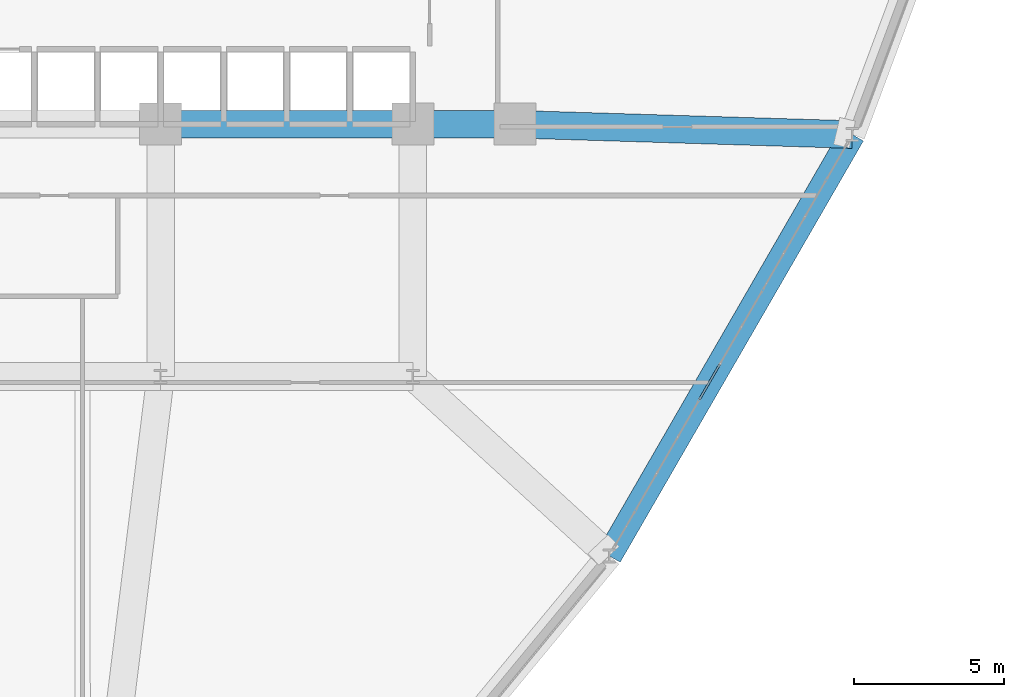
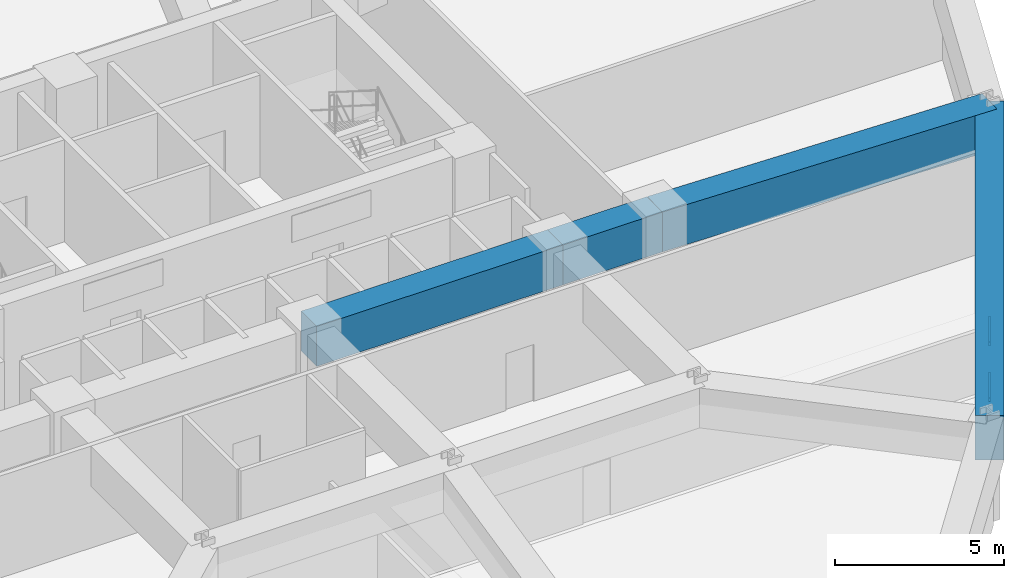
# One storey, part 8 of 20: 4 beams, 2 members, 1 element without a shape of its own.
"""IFC4 building model written with IfcOpenShell, lengths in metres."""

from ifc_helpers import new_model, si_unit, derived_unit, direction, frame, origin, origin_2d, place, context, subcontext, project, spatial, rectangle, hollow_rectangle, extrude, source, transform, mapped, material, layer, layer_set, material_profile, profile_set, type_object, element, aggregate, save


model = new_model("IFC4")

# Units and contexts
model_context = context("Model", 3, precision=1e-05, world=origin(), true_north=direction((0.0, 1.0)))
body_context = subcontext(model_context, "Body", "Model", "MODEL_VIEW")
ifc_project = project(units=[si_unit("LENGTHUNIT", "METRE"), si_unit("AREAUNIT", "SQUARE_METRE"), si_unit("VOLUMEUNIT", "CUBIC_METRE"), si_unit("PLANEANGLEUNIT", "RADIAN"), si_unit("MASSUNIT", "GRAM", prefix="KILO"), derived_unit("THERMALTRANSMITTANCEUNIT", [(si_unit("POWERUNIT", "WATT"), 1), (si_unit("LENGTHUNIT", "METRE"), -2), (si_unit("THERMODYNAMICTEMPERATUREUNIT", "KELVIN"), -1)])], contexts=[model_context])

# Site, building, storey
site_placement = place(None, origin())
site = spatial("IfcSite", under=ifc_project, at=site_placement, CompositionType="ELEMENT")
building_placement = place(site_placement, origin())
building = spatial("IfcBuilding", under=site, at=building_placement, Name="Korsvarv Bourse and Concert Hall", CompositionType="ELEMENT")
storey_placement = place(building_placement, frame((0.0, 0.0, 31.800048828125)))
storey = spatial("IfcBuildingStorey", under=building, at=storey_placement, Name="L07", CompositionType="ELEMENT", Elevation=31.800048828125)

# Beams
ifc_material_1 = material(Name="Concrete C50/60", Category="concrete")
ifc_material_profile_1 = material_profile(ifc_material_1, rectangle(XDim=0.919921875, YDim=1.43994140625, at=origin_2d()), Name="RC-BM 920x1440")
ifc_profile_set_1 = profile_set([ifc_material_profile_1], Name="Concrete C50/60")
beam_type_1 = type_object("IfcBeamType", Name="BM-TR-144", PredefinedType="BEAM", material=ifc_profile_set_1)
shared_shape_1 = source(origin(), body_context, "Body", "SweptSolid", [
    extrude(rectangle(XDim=0.919921875, YDim=1.43994140625, at=origin_2d()), origin(), (0.0, 0.0, 1.0), 3.400146484375),
])
beam_1_placement = place(storey_placement, frame((44.39990234375, 32.39990234375, 2.9599609375), z_axis=(1.0, 0.0, 0.0), x_axis=(0.0, 1.0, 0.0)))
element("IfcBeam", 1, at=beam_1_placement, inside=storey, type_object=beam_type_1, Name="L07 beam B-TR4", PredefinedType="BEAM", context=body_context, shape_type="MappedRepresentation", body=[
    mapped(shared_shape_1, transform((0.0, 0.0, 0.0), scale=1.0)),
])
shared_shape_2 = source(origin(), body_context, "Body", "SweptSolid", [
    extrude(rectangle(XDim=0.919921875, YDim=1.43994140625, at=origin_2d()), origin(), (0.0, 0.0, 1.0), 8.39990234375),
])
beam_2_placement = place(storey_placement, frame((36.0, 32.39990234375, 2.9599609375), z_axis=(1.0, 0.0, 0.0), x_axis=(0.0, 1.0, 0.0)))
element("IfcBeam", 2, at=beam_2_placement, inside=storey, type_object=beam_type_1, Name="L07 beam B-TR4", PredefinedType="BEAM", context=body_context, shape_type="MappedRepresentation", body=[
    mapped(shared_shape_2, transform((0.0, 0.0, 0.0), scale=1.0)),
])
ifc_material_2 = material(Name="Concrete C55/67", Category="concrete")
ifc_material_profile_2 = material_profile(ifc_material_2, rectangle(XDim=0.85009765625, YDim=1.60009765625, at=origin_2d()), Name="RC-BM 850x1600")
ifc_profile_set_2 = profile_set([ifc_material_profile_2], Name="Concrete C55/67")
beam_type_2 = type_object("IfcBeamType", Name="BM-TR1B", PredefinedType="BEAM", material=ifc_profile_set_2)
shared_shape_3 = source(origin(), body_context, "Body", "SweptSolid", [
    extrude(rectangle(XDim=0.85009765625, YDim=1.60009765625, at=origin_2d()), origin(), (0.0, 0.0, 1.0), 16.195068359375),
])
beam_3_placement = place(storey_placement, frame((50.93212890625, 18.02880859375, 2.8798828125), z_axis=(0.499993009725, 0.866029439584, 0.0), x_axis=(-0.866029439584, 0.499993009725, 0.0)))
element("IfcBeam", 3, at=beam_3_placement, inside=storey, type_object=beam_type_2, Name="L07 beam B-TR2", PredefinedType="BEAM", context=body_context, shape_type="MappedRepresentation", body=[
    mapped(shared_shape_3, transform((0.0, 0.0, 0.0), scale=1.0)),
])
shared_shape_4 = source(origin(), body_context, "Body", "SweptSolid", [
    extrude(rectangle(XDim=0.919921875, YDim=1.43994140625, at=origin_2d()), origin(), (0.0, 0.0, 1.0), 11.23486328125),
])
beam_4_placement = place(storey_placement, frame((59.029541015625, 32.05419921875, 2.9599609375), z_axis=(-0.999526469652, 0.03077070791, 0.0), x_axis=(-0.03077070791, -0.999526469652, 0.0)))
element("IfcBeam", 4, at=beam_4_placement, inside=storey, type_object=beam_type_1, Name="L07 beam B-TR4", PredefinedType="BEAM", context=body_context, shape_type="MappedRepresentation", body=[
    mapped(shared_shape_4, transform((0.0, 0.0, 0.0), scale=1.0)),
])

# Curtain wall, members
ifc_material_3 = material(Name="Anodised aluminium and triple low-E glazing", Category="glass")
ifc_layer = layer(ifc_material_3, 0.219970703125)
ifc_layer_set = layer_set([ifc_layer], Name="Anodised aluminium and triple low-E glazing")
curtain_wall_type = type_object("IfcCurtainWallType", Name="CW-SYS-1", PredefinedType="NOTDEFINED", material=ifc_layer_set)
curtain_wall_placement = place(storey_placement, origin())
curtain_wall = element("IfcCurtainWall", 5, at=curtain_wall_placement, inside=storey, type_object=curtain_wall_type, Name="L07 CW1 curtain wall CW-L07-F11", PredefinedType="NOTDEFINED")
ifc_material_4 = material(Name="Extruded aluminium EN AW-6063 T66", Category="aluminium")
ifc_material_profile_3 = material_profile(ifc_material_4, hollow_rectangle(XDim=0.06494140625, YDim=0.139892578125, WallThickness=0.00390625, at=origin_2d()), Name="ALU-T 65x140")
ifc_profile_set_3 = profile_set([ifc_material_profile_3], Name="Extruded aluminium EN AW-6063 T66")
member_type = type_object("IfcMemberType", Name="CWT-140", PredefinedType="USERDEFINED", material=ifc_profile_set_3)
shared_shape_5 = source(origin(), body_context, "Body", "SweptSolid", [
    extrude(hollow_rectangle(XDim=0.06494140625, YDim=0.139892578125, WallThickness=0.00390625, at=origin_2d()), origin(), (0.0, 0.0, 1.0), 1.342041015625),
])
member_1_placement = place(storey_placement, frame((53.939208984375, 23.237548828125, 0.032470703125), z_axis=(0.500110886074, 0.865961374214, 0.0), x_axis=(-0.865961374214, 0.500110886074, 0.0)))
member_1 = element("IfcMember", 6, at=member_1_placement, type_object=member_type, Name="CW1 transom 5.1", ObjectType="TRANSOM", PredefinedType="USERDEFINED", context=body_context, shape_type="MappedRepresentation", body=[
    mapped(shared_shape_5, transform((0.0, 0.0, 0.0), scale=1.0)),
])
member_2_placement = place(storey_placement, frame((53.939208984375, 23.237548828125, 2.04736328125), z_axis=(0.500110886074, 0.865961374214, 0.0), x_axis=(-0.865961374214, 0.500110886074, 0.0)))
member_2 = element("IfcMember", 7, at=member_2_placement, type_object=member_type, Name="CW1 transom 5.2", ObjectType="TRANSOM", PredefinedType="USERDEFINED", context=body_context, shape_type="MappedRepresentation", body=[
    mapped(shared_shape_5, transform((0.0, 0.0, 0.0), scale=1.0)),
])
aggregate(curtain_wall, [member_1, member_2])

save(model, "model.ifc")
